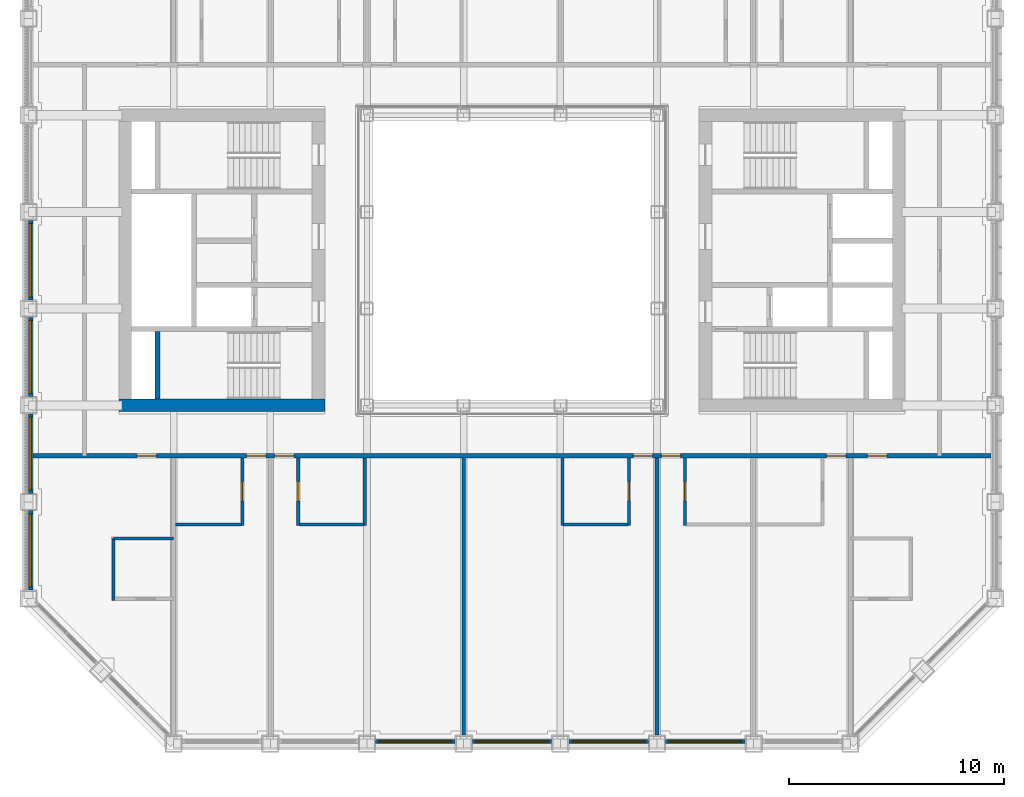
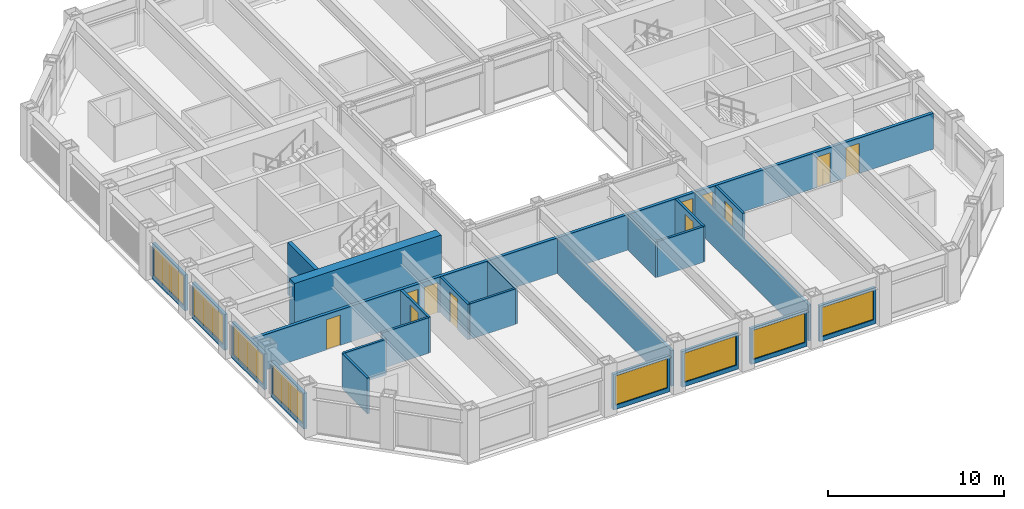
# One storey, part 10 of 17: 24 walls, 11 doors, 8 windows, 19 openings.
"""IFC4 building model written with IfcOpenShell, lengths in metres."""

from ifc_helpers import new_model, si_unit, direction, frame, frame_2d, origin, place, context, subcontext, project, spatial, rectangle, extrude, material, layer, layer_set, type_object, element, fill, save


model = new_model("IFC4")

# Units and contexts
model_context = context("Model", 3, precision=1e-05, world=origin(), true_north=direction((0.0, 1.0)))
body_context = subcontext(model_context, "Body", "Model", "MODEL_VIEW")
ifc_project = project(units=[si_unit("LENGTHUNIT", "METRE"), si_unit("AREAUNIT", "SQUARE_METRE"), si_unit("VOLUMEUNIT", "CUBIC_METRE"), si_unit("PLANEANGLEUNIT", "RADIAN"), si_unit("MASSUNIT", "GRAM", prefix="KILO")], contexts=[model_context])

# Site, building, storey
site_placement = place(None, origin())
site = spatial("IfcSite", under=ifc_project, at=site_placement, CompositionType="ELEMENT")
building_placement = place(site_placement, origin())
building = spatial("IfcBuilding", under=site, at=building_placement, Name="Msasa Ring Tower", CompositionType="ELEMENT")
storey_placement = place(building_placement, frame((0.0, 0.0, 132.800048828125)))
storey = spatial("IfcBuildingStorey", under=building, at=storey_placement, Name="L34", CompositionType="ELEMENT", Elevation=132.800048828125)

# Walls
ifc_material_1 = material(Name="Concrete C60/75", Category="concrete")
ifc_layer_1 = layer(ifc_material_1, 0.60009765625)
ifc_layer_set_1 = layer_set([ifc_layer_1], Name="CW2 CORE WALL 600")
wall_type_1 = type_object("IfcWallType", Name="CW2 CORE WALL 600", PredefinedType="SHEAR", material=ifc_layer_set_1)
wall_1_placement = place(storey_placement, frame((-8.699951171875, -6.75, 0.0), z_axis=(0.0, 0.0, 1.0), x_axis=(-1.0, 0.0, 0.0)))
element("IfcWall", 1, at=wall_1_placement, inside=storey, type_object=wall_type_1, Name="W core wall S L34", PredefinedType="SHEAR", context=body_context, shape_type="SweptSolid", body=[
    extrude(rectangle(XDim=9.60009765625, YDim=0.60009765625, at=frame_2d((4.800048828125, 0.0))), origin(), (0.0, 0.0, 1.0), 3.599853515625),
])
ifc_material_2 = material(Name="Concrete C60/75", Category="concrete")
ifc_layer_2 = layer(ifc_material_2, 0.25)
ifc_layer_set_2 = layer_set([ifc_layer_2], Name="CW4 CORE INNER WALL 250")
wall_type_2 = type_object("IfcWallType", Name="CW4 CORE INNER WALL 250", PredefinedType="SHEAR", material=ifc_layer_set_2)
wall_2_placement = place(storey_placement, frame((-16.5, -6.449951171875, 0.0), z_axis=(0.0, 0.0, 1.0), x_axis=(0.0, 1.0, 0.0)))
element("IfcWall", 2, at=wall_2_placement, inside=storey, type_object=wall_type_2, Name="W core wall RISERA L34", PredefinedType="SHEAR", context=body_context, shape_type="SweptSolid", body=[
    extrude(rectangle(XDim=3.125, YDim=0.25, at=frame_2d((1.5625, 0.0))), origin(), (0.0, 0.0, 1.0), 3.599853515625),
])

# Wall, opening, window
ifc_material_3 = material(Name="Terracotta rainscreen on blockwork", Category="masonry")
ifc_layer_3 = layer(ifc_material_3, 0.199951171875)
ifc_layer_set_3 = layer_set([ifc_layer_3], Name="FW1 TERRACOTTA-LINED INFILL BAY WALL 200")
wall_type_3 = type_object("IfcWallType", Name="FW1 TERRACOTTA-LINED INFILL BAY WALL 200", PredefinedType="SOLIDWALL", material=ifc_layer_set_3)
wall_3_placement = place(storey_placement, frame((-6.344970703125, -22.39990234375, 0.0), z_axis=(0.0, 0.0, 1.0), x_axis=(1.0, 0.0, 0.0)))
wall_3 = element("IfcWall", 3, at=wall_3_placement, inside=storey, type_object=wall_type_3, Name="Infill bay wall S L34 02", PredefinedType="SOLIDWALL", context=body_context, shape_type="SweptSolid", body=[
    extrude(rectangle(XDim=3.68994140625, YDim=0.199951171875, at=frame_2d((1.844970703125, 0.0))), origin(), (0.0, 0.0, 1.0), 2.47900390625),
])
opening_1_placement = place(wall_3_placement, frame((0.14501953125, 0.0, 0.300048828125)))
opening_1 = element("IfcOpeningElement", 4, at=opening_1_placement, cuts=wall_3, Name="Opening WN2", PredefinedType="OPENING", context=body_context, shape_type="SweptSolid", body=[
    extrude(rectangle(XDim=3.39990234375, YDim=2.029052734375, at=frame_2d((1.699951171875, 1.0146484375))), frame((0.0, 0.10986328125, 0.0), z_axis=(0.0, -1.0, 0.0), x_axis=(1.0, 0.0, 0.0)), (0.0, 0.0, 1.0), 0.219970703125),
])
ifc_material_4 = material(Name="Aluminium frame with clear glass", Category="aluminium")
window_type = type_object("IfcWindowType", Name="WN2 GUEST ROOM WINDOW 3400x2029", PartitioningType="SINGLE_PANEL", PredefinedType="WINDOW", material=ifc_material_4)
window_1_placement = place(opening_1_placement, origin())
window_1 = element("IfcWindow", 5, at=window_1_placement, inside=storey, type_object=window_type, Name="Window S L34 02", OverallHeight=2.029052734375, OverallWidth=3.39990234375, PartitioningType="SINGLE_PANEL", PredefinedType="WINDOW", context=body_context, shape_type="SweptSolid", body=[
    extrude(rectangle(XDim=3.39990234375, YDim=2.029052734375, at=frame_2d((1.699951171875, 1.0146484375))), frame((0.0, 0.030029296875, 0.0), z_axis=(0.0, -1.0, 0.0), x_axis=(1.0, 0.0, 0.0)), (0.0, 0.0, 1.0), 0.06005859375),
])
fill(opening_1, window_1)

wall_4_placement = place(storey_placement, frame((-1.844970703125, -22.39990234375, 0.0), z_axis=(0.0, 0.0, 1.0), x_axis=(1.0, 0.0, 0.0)))
wall_4 = element("IfcWall", 6, at=wall_4_placement, inside=storey, type_object=wall_type_3, Name="Infill bay wall S L34 03", PredefinedType="SOLIDWALL", context=body_context, shape_type="SweptSolid", body=[
    extrude(rectangle(XDim=3.68994140625, YDim=0.199951171875, at=frame_2d((1.844970703125, 0.0))), origin(), (0.0, 0.0, 1.0), 2.47900390625),
])
opening_2_placement = place(wall_4_placement, frame((0.14501953125, 0.0, 0.300048828125)))
opening_2 = element("IfcOpeningElement", 7, at=opening_2_placement, cuts=wall_4, Name="Opening WN2", PredefinedType="OPENING", context=body_context, shape_type="SweptSolid", body=[
    extrude(rectangle(XDim=3.39990234375, YDim=2.029052734375, at=frame_2d((1.699951171875, 1.0146484375))), frame((0.0, 0.10986328125, 0.0), z_axis=(0.0, -1.0, 0.0), x_axis=(1.0, 0.0, 0.0)), (0.0, 0.0, 1.0), 0.219970703125),
])
window_2_placement = place(opening_2_placement, origin())
window_2 = element("IfcWindow", 8, at=window_2_placement, inside=storey, type_object=window_type, Name="Window S L34 03", OverallHeight=2.029052734375, OverallWidth=3.39990234375, PartitioningType="SINGLE_PANEL", PredefinedType="WINDOW", context=body_context, shape_type="SweptSolid", body=[
    extrude(rectangle(XDim=3.39990234375, YDim=2.029052734375, at=frame_2d((1.699951171875, 1.0146484375))), frame((0.0, 0.030029296875, 0.0), z_axis=(0.0, -1.0, 0.0), x_axis=(1.0, 0.0, 0.0)), (0.0, 0.0, 1.0), 0.06005859375),
])
fill(opening_2, window_2)

wall_5_placement = place(storey_placement, frame((2.655029296875, -22.39990234375, 0.0), z_axis=(0.0, 0.0, 1.0), x_axis=(1.0, 0.0, 0.0)))
wall_5 = element("IfcWall", 9, at=wall_5_placement, inside=storey, type_object=wall_type_3, Name="Infill bay wall S L34 04", PredefinedType="SOLIDWALL", context=body_context, shape_type="SweptSolid", body=[
    extrude(rectangle(XDim=3.68994140625, YDim=0.199951171875, at=frame_2d((1.844970703125, 0.0))), origin(), (0.0, 0.0, 1.0), 2.47900390625),
])
opening_3_placement = place(wall_5_placement, frame((0.14501953125, 0.0, 0.300048828125)))
opening_3 = element("IfcOpeningElement", 10, at=opening_3_placement, cuts=wall_5, Name="Opening WN2", PredefinedType="OPENING", context=body_context, shape_type="SweptSolid", body=[
    extrude(rectangle(XDim=3.39990234375, YDim=2.029052734375, at=frame_2d((1.699951171875, 1.0146484375))), frame((0.0, 0.10986328125, 0.0), z_axis=(0.0, -1.0, 0.0), x_axis=(1.0, 0.0, 0.0)), (0.0, 0.0, 1.0), 0.219970703125),
])
window_3_placement = place(opening_3_placement, origin())
window_3 = element("IfcWindow", 11, at=window_3_placement, inside=storey, type_object=window_type, Name="Window S L34 04", OverallHeight=2.029052734375, OverallWidth=3.39990234375, PartitioningType="SINGLE_PANEL", PredefinedType="WINDOW", context=body_context, shape_type="SweptSolid", body=[
    extrude(rectangle(XDim=3.39990234375, YDim=2.029052734375, at=frame_2d((1.699951171875, 1.0146484375))), frame((0.0, 0.030029296875, 0.0), z_axis=(0.0, -1.0, 0.0), x_axis=(1.0, 0.0, 0.0)), (0.0, 0.0, 1.0), 0.06005859375),
])
fill(opening_3, window_3)

wall_6_placement = place(storey_placement, frame((7.155029296875, -22.39990234375, 0.0), z_axis=(0.0, 0.0, 1.0), x_axis=(1.0, 0.0, 0.0)))
wall_6 = element("IfcWall", 12, at=wall_6_placement, inside=storey, type_object=wall_type_3, Name="Infill bay wall S L34 05", PredefinedType="SOLIDWALL", context=body_context, shape_type="SweptSolid", body=[
    extrude(rectangle(XDim=3.68994140625, YDim=0.199951171875, at=frame_2d((1.844970703125, 0.0))), origin(), (0.0, 0.0, 1.0), 2.47900390625),
])
opening_4_placement = place(wall_6_placement, frame((0.14501953125, 0.0, 0.300048828125)))
opening_4 = element("IfcOpeningElement", 13, at=opening_4_placement, cuts=wall_6, Name="Opening WN2", PredefinedType="OPENING", context=body_context, shape_type="SweptSolid", body=[
    extrude(rectangle(XDim=3.39990234375, YDim=2.029052734375, at=frame_2d((1.699951171875, 1.0146484375))), frame((0.0, 0.10986328125, 0.0), z_axis=(0.0, -1.0, 0.0), x_axis=(1.0, 0.0, 0.0)), (0.0, 0.0, 1.0), 0.219970703125),
])
window_4_placement = place(opening_4_placement, origin())
window_4 = element("IfcWindow", 14, at=window_4_placement, inside=storey, type_object=window_type, Name="Window S L34 05", OverallHeight=2.029052734375, OverallWidth=3.39990234375, PartitioningType="SINGLE_PANEL", PredefinedType="WINDOW", context=body_context, shape_type="SweptSolid", body=[
    extrude(rectangle(XDim=3.39990234375, YDim=2.029052734375, at=frame_2d((1.699951171875, 1.0146484375))), frame((0.0, 0.030029296875, 0.0), z_axis=(0.0, -1.0, 0.0), x_axis=(1.0, 0.0, 0.0)), (0.0, 0.0, 1.0), 0.06005859375),
])
fill(opening_4, window_4)

wall_7_placement = place(storey_placement, frame((-22.39990234375, -15.344970703125, 0.0), z_axis=(0.0, 0.0, 1.0), x_axis=(0.0, 1.0, 0.0)))
wall_7 = element("IfcWall", 15, at=wall_7_placement, inside=storey, type_object=wall_type_3, Name="Infill bay wall W L34 27", PredefinedType="SOLIDWALL", context=body_context, shape_type="SweptSolid", body=[
    extrude(rectangle(XDim=3.68994140625, YDim=0.199951171875, at=frame_2d((1.844970703125, 0.0))), origin(), (0.0, 0.0, 1.0), 2.47900390625),
])
opening_5_placement = place(wall_7_placement, frame((0.14501953125, 0.0, 0.300048828125)))
opening_5 = element("IfcOpeningElement", 16, at=opening_5_placement, cuts=wall_7, Name="Opening WN2", PredefinedType="OPENING", context=body_context, shape_type="SweptSolid", body=[
    extrude(rectangle(XDim=3.39990234375, YDim=2.029052734375, at=frame_2d((1.699951171875, 1.0146484375))), frame((0.0, 0.10986328125, 0.0), z_axis=(0.0, -1.0, 0.0), x_axis=(1.0, 0.0, 0.0)), (0.0, 0.0, 1.0), 0.219970703125),
])
window_5_placement = place(opening_5_placement, origin())
window_5 = element("IfcWindow", 17, at=window_5_placement, inside=storey, type_object=window_type, Name="Window W L34 27", OverallHeight=2.029052734375, OverallWidth=3.39990234375, PartitioningType="SINGLE_PANEL", PredefinedType="WINDOW", context=body_context, shape_type="SweptSolid", body=[
    extrude(rectangle(XDim=3.39990234375, YDim=2.029052734375, at=frame_2d((1.699951171875, 1.0146484375))), frame((0.0, 0.030029296875, 0.0), z_axis=(0.0, -1.0, 0.0), x_axis=(1.0, 0.0, 0.0)), (0.0, 0.0, 1.0), 0.06005859375),
])
fill(opening_5, window_5)

wall_8_placement = place(storey_placement, frame((-22.39990234375, -10.844970703125, 0.0), z_axis=(0.0, 0.0, 1.0), x_axis=(0.0, 1.0, 0.0)))
wall_8 = element("IfcWall", 18, at=wall_8_placement, inside=storey, type_object=wall_type_3, Name="Infill bay wall W L34 28", PredefinedType="SOLIDWALL", context=body_context, shape_type="SweptSolid", body=[
    extrude(rectangle(XDim=3.68994140625, YDim=0.199951171875, at=frame_2d((1.844970703125, 0.0))), origin(), (0.0, 0.0, 1.0), 2.47900390625),
])
opening_6_placement = place(wall_8_placement, frame((0.14501953125, 0.0, 0.300048828125)))
opening_6 = element("IfcOpeningElement", 19, at=opening_6_placement, cuts=wall_8, Name="Opening WN2", PredefinedType="OPENING", context=body_context, shape_type="SweptSolid", body=[
    extrude(rectangle(XDim=3.39990234375, YDim=2.029052734375, at=frame_2d((1.699951171875, 1.0146484375))), frame((0.0, 0.10986328125, 0.0), z_axis=(0.0, -1.0, 0.0), x_axis=(1.0, 0.0, 0.0)), (0.0, 0.0, 1.0), 0.219970703125),
])
window_6_placement = place(opening_6_placement, origin())
window_6 = element("IfcWindow", 20, at=window_6_placement, inside=storey, type_object=window_type, Name="Window W L34 28", OverallHeight=2.029052734375, OverallWidth=3.39990234375, PartitioningType="SINGLE_PANEL", PredefinedType="WINDOW", context=body_context, shape_type="SweptSolid", body=[
    extrude(rectangle(XDim=3.39990234375, YDim=2.029052734375, at=frame_2d((1.699951171875, 1.0146484375))), frame((0.0, 0.030029296875, 0.0), z_axis=(0.0, -1.0, 0.0), x_axis=(1.0, 0.0, 0.0)), (0.0, 0.0, 1.0), 0.06005859375),
])
fill(opening_6, window_6)

wall_9_placement = place(storey_placement, frame((-22.39990234375, -6.344970703125, 0.0), z_axis=(0.0, 0.0, 1.0), x_axis=(0.0, 1.0, 0.0)))
wall_9 = element("IfcWall", 21, at=wall_9_placement, inside=storey, type_object=wall_type_3, Name="Infill bay wall W L34 29", PredefinedType="SOLIDWALL", context=body_context, shape_type="SweptSolid", body=[
    extrude(rectangle(XDim=3.68994140625, YDim=0.199951171875, at=frame_2d((1.844970703125, 0.0))), origin(), (0.0, 0.0, 1.0), 2.47900390625),
])
opening_7_placement = place(wall_9_placement, frame((0.14501953125, 0.0, 0.300048828125)))
opening_7 = element("IfcOpeningElement", 22, at=opening_7_placement, cuts=wall_9, Name="Opening WN2", PredefinedType="OPENING", context=body_context, shape_type="SweptSolid", body=[
    extrude(rectangle(XDim=3.39990234375, YDim=2.029052734375, at=frame_2d((1.699951171875, 1.0146484375))), frame((0.0, 0.10986328125, 0.0), z_axis=(0.0, -1.0, 0.0), x_axis=(1.0, 0.0, 0.0)), (0.0, 0.0, 1.0), 0.219970703125),
])
window_7_placement = place(opening_7_placement, origin())
window_7 = element("IfcWindow", 23, at=window_7_placement, inside=storey, type_object=window_type, Name="Window W L34 29", OverallHeight=2.029052734375, OverallWidth=3.39990234375, PartitioningType="SINGLE_PANEL", PredefinedType="WINDOW", context=body_context, shape_type="SweptSolid", body=[
    extrude(rectangle(XDim=3.39990234375, YDim=2.029052734375, at=frame_2d((1.699951171875, 1.0146484375))), frame((0.0, 0.030029296875, 0.0), z_axis=(0.0, -1.0, 0.0), x_axis=(1.0, 0.0, 0.0)), (0.0, 0.0, 1.0), 0.06005859375),
])
fill(opening_7, window_7)

wall_10_placement = place(storey_placement, frame((-22.39990234375, -1.844970703125, 0.0), z_axis=(0.0, 0.0, 1.0), x_axis=(0.0, 1.0, 0.0)))
wall_10 = element("IfcWall", 24, at=wall_10_placement, inside=storey, type_object=wall_type_3, Name="Infill bay wall W L34 30", PredefinedType="SOLIDWALL", context=body_context, shape_type="SweptSolid", body=[
    extrude(rectangle(XDim=3.68994140625, YDim=0.199951171875, at=frame_2d((1.844970703125, 0.0))), origin(), (0.0, 0.0, 1.0), 2.47900390625),
])
opening_8_placement = place(wall_10_placement, frame((0.14501953125, 0.0, 0.300048828125)))
opening_8 = element("IfcOpeningElement", 25, at=opening_8_placement, cuts=wall_10, Name="Opening WN2", PredefinedType="OPENING", context=body_context, shape_type="SweptSolid", body=[
    extrude(rectangle(XDim=3.39990234375, YDim=2.029052734375, at=frame_2d((1.699951171875, 1.0146484375))), frame((0.0, 0.10986328125, 0.0), z_axis=(0.0, -1.0, 0.0), x_axis=(1.0, 0.0, 0.0)), (0.0, 0.0, 1.0), 0.219970703125),
])
window_8_placement = place(opening_8_placement, origin())
window_8 = element("IfcWindow", 26, at=window_8_placement, inside=storey, type_object=window_type, Name="Window W L34 30", OverallHeight=2.029052734375, OverallWidth=3.39990234375, PartitioningType="SINGLE_PANEL", PredefinedType="WINDOW", context=body_context, shape_type="SweptSolid", body=[
    extrude(rectangle(XDim=3.39990234375, YDim=2.029052734375, at=frame_2d((1.699951171875, 1.0146484375))), frame((0.0, 0.030029296875, 0.0), z_axis=(0.0, -1.0, 0.0), x_axis=(1.0, 0.0, 0.0)), (0.0, 0.0, 1.0), 0.06005859375),
])
fill(opening_8, window_8)

# Wall, openings, doors
ifc_material_5 = material(Name="Concrete blockwork", Category="masonry")
ifc_layer_4 = layer(ifc_material_5, 0.199951171875)
ifc_layer_set_4 = layer_set([ifc_layer_4], Name="PT1 CORRIDOR WALL 200")
wall_type_4 = type_object("IfcWallType", Name="PT1 CORRIDOR WALL 200", PredefinedType="PARTITIONING", material=ifc_layer_set_4)
wall_11_placement = place(storey_placement, frame((-22.300048828125, -9.10009765625, 0.0), z_axis=(0.0, 0.0, 1.0), x_axis=(1.0, 0.0, 0.0)))
wall_11 = element("IfcWall", 27, at=wall_11_placement, inside=storey, type_object=wall_type_4, Name="Corridor wall L34-CORRS0", PredefinedType="PARTITIONING", context=body_context, shape_type="SweptSolid", body=[
    extrude(rectangle(XDim=44.60009765625, YDim=0.199951171875, at=frame_2d((22.300048828125, 0.0))), origin(), (0.0, 0.0, 1.0), 2.473388671875),
])
opening_9_placement = place(wall_11_placement, frame((9.949951171875, 0.0, 0.0)))
opening_9 = element("IfcOpeningElement", 28, at=opening_9_placement, cuts=wall_11, Name="Opening HB-028", PredefinedType="OPENING", context=body_context, shape_type="SweptSolid", body=[
    extrude(rectangle(XDim=0.89990234375, YDim=2.10009765625, at=frame_2d((0.449951171875, 1.050048828125))), frame((0.0, 0.10986328125, 0.0), z_axis=(0.0, -1.0, 0.0), x_axis=(1.0, 0.0, 0.0)), (0.0, 0.0, 1.0), 0.219970703125),
])
opening_10_placement = place(wall_11_placement, frame((11.25, 0.0, 0.0)))
opening_10 = element("IfcOpeningElement", 29, at=opening_10_placement, cuts=wall_11, Name="Opening HB-029", PredefinedType="OPENING", context=body_context, shape_type="SweptSolid", body=[
    extrude(rectangle(XDim=0.89990234375, YDim=2.10009765625, at=frame_2d((0.449951171875, 1.050048828125))), frame((0.0, 0.10986328125, 0.0), z_axis=(0.0, -1.0, 0.0), x_axis=(1.0, 0.0, 0.0)), (0.0, 0.0, 1.0), 0.219970703125),
])
opening_11_placement = place(wall_11_placement, frame((27.949951171875, 0.0, 0.0)))
opening_11 = element("IfcOpeningElement", 30, at=opening_11_placement, cuts=wall_11, Name="Opening HB-030", PredefinedType="OPENING", context=body_context, shape_type="SweptSolid", body=[
    extrude(rectangle(XDim=0.89990234375, YDim=2.10009765625, at=frame_2d((0.449951171875, 1.050048828125))), frame((0.0, 0.10986328125, 0.0), z_axis=(0.0, -1.0, 0.0), x_axis=(1.0, 0.0, 0.0)), (0.0, 0.0, 1.0), 0.219970703125),
])
opening_12_placement = place(wall_11_placement, frame((29.25, 0.0, 0.0)))
opening_12 = element("IfcOpeningElement", 31, at=opening_12_placement, cuts=wall_11, Name="Opening HB-031", PredefinedType="OPENING", context=body_context, shape_type="SweptSolid", body=[
    extrude(rectangle(XDim=0.89990234375, YDim=2.10009765625, at=frame_2d((0.449951171875, 1.050048828125))), frame((0.0, 0.10986328125, 0.0), z_axis=(0.0, -1.0, 0.0), x_axis=(1.0, 0.0, 0.0)), (0.0, 0.0, 1.0), 0.219970703125),
])
opening_13_placement = place(wall_11_placement, frame((36.949951171875, 0.0, 0.0)))
opening_13 = element("IfcOpeningElement", 32, at=opening_13_placement, cuts=wall_11, Name="Opening HB-032", PredefinedType="OPENING", context=body_context, shape_type="SweptSolid", body=[
    extrude(rectangle(XDim=0.89990234375, YDim=2.10009765625, at=frame_2d((0.449951171875, 1.050048828125))), frame((0.0, 0.10986328125, 0.0), z_axis=(0.0, -1.0, 0.0), x_axis=(1.0, 0.0, 0.0)), (0.0, 0.0, 1.0), 0.219970703125),
])
opening_14_placement = place(wall_11_placement, frame((38.85009765625, 0.0, 0.0)))
opening_14 = element("IfcOpeningElement", 33, at=opening_14_placement, cuts=wall_11, Name="Opening HB-033", PredefinedType="OPENING", context=body_context, shape_type="SweptSolid", body=[
    extrude(rectangle(XDim=0.89990234375, YDim=2.10009765625, at=frame_2d((0.449951171875, 1.050048828125))), frame((0.0, 0.10986328125, 0.0), z_axis=(0.0, -1.0, 0.0), x_axis=(1.0, 0.0, 0.0)), (0.0, 0.0, 1.0), 0.219970703125),
])
opening_15_placement = place(wall_11_placement, frame((4.85009765625, 0.0, 0.0)))
opening_15 = element("IfcOpeningElement", 34, at=opening_15_placement, cuts=wall_11, Name="Opening HB-027", PredefinedType="OPENING", context=body_context, shape_type="SweptSolid", body=[
    extrude(rectangle(XDim=0.89990234375, YDim=2.10009765625, at=frame_2d((0.449951171875, 1.050048828125))), frame((0.0, 0.10986328125, 0.0), z_axis=(0.0, -1.0, 0.0), x_axis=(1.0, 0.0, 0.0)), (0.0, 0.0, 1.0), 0.219970703125),
])
ifc_material_6 = material(Name="Timber door leaf in a steel frame", Category="steel")
door_type_1 = type_object("IfcDoorType", Name="D1 SINGLE DOOR TO CORRIDOR 900x2100", OperationType="SINGLE_SWING_LEFT", PredefinedType="DOOR", material=ifc_material_6)
door_1_placement = place(opening_9_placement, origin())
door_1 = element("IfcDoor", 35, at=door_1_placement, inside=storey, type_object=door_type_1, Name="Door L34-GS00", OperationType="SINGLE_SWING_LEFT", OverallHeight=2.10009765625, OverallWidth=0.89990234375, PredefinedType="DOOR", context=body_context, shape_type="SweptSolid", body=[
    extrude(rectangle(XDim=0.89990234375, YDim=2.10009765625, at=frame_2d((0.449951171875, 1.050048828125))), frame((0.0, 0.02490234375, 0.0), z_axis=(0.0, -1.0, 0.0), x_axis=(1.0, 0.0, 0.0)), (0.0, 0.0, 1.0), 0.050048828125),
])
fill(opening_9, door_1)
door_2_placement = place(opening_10_placement, origin())
door_2 = element("IfcDoor", 36, at=door_2_placement, inside=storey, type_object=door_type_1, Name="Door L34-GS01", OperationType="SINGLE_SWING_LEFT", OverallHeight=2.10009765625, OverallWidth=0.89990234375, PredefinedType="DOOR", context=body_context, shape_type="SweptSolid", body=[
    extrude(rectangle(XDim=0.89990234375, YDim=2.10009765625, at=frame_2d((0.449951171875, 1.050048828125))), frame((0.0, 0.02490234375, 0.0), z_axis=(0.0, -1.0, 0.0), x_axis=(1.0, 0.0, 0.0)), (0.0, 0.0, 1.0), 0.050048828125),
])
fill(opening_10, door_2)
door_3_placement = place(opening_11_placement, origin())
door_3 = element("IfcDoor", 37, at=door_3_placement, inside=storey, type_object=door_type_1, Name="Door L34-GS02", OperationType="SINGLE_SWING_RIGHT", OverallHeight=2.10009765625, OverallWidth=0.89990234375, PredefinedType="DOOR", context=body_context, shape_type="SweptSolid", body=[
    extrude(rectangle(XDim=0.89990234375, YDim=2.10009765625, at=frame_2d((0.449951171875, 1.050048828125))), frame((0.0, 0.02490234375, 0.0), z_axis=(0.0, -1.0, 0.0), x_axis=(1.0, 0.0, 0.0)), (0.0, 0.0, 1.0), 0.050048828125),
])
fill(opening_11, door_3)
door_4_placement = place(opening_12_placement, origin())
door_4 = element("IfcDoor", 38, at=door_4_placement, inside=storey, type_object=door_type_1, Name="Door L34-GS03", OperationType="SINGLE_SWING_RIGHT", OverallHeight=2.10009765625, OverallWidth=0.89990234375, PredefinedType="DOOR", context=body_context, shape_type="SweptSolid", body=[
    extrude(rectangle(XDim=0.89990234375, YDim=2.10009765625, at=frame_2d((0.449951171875, 1.050048828125))), frame((0.0, 0.02490234375, 0.0), z_axis=(0.0, -1.0, 0.0), x_axis=(1.0, 0.0, 0.0)), (0.0, 0.0, 1.0), 0.050048828125),
])
fill(opening_12, door_4)
door_5_placement = place(opening_13_placement, origin())
door_5 = element("IfcDoor", 39, at=door_5_placement, inside=storey, type_object=door_type_1, Name="Door L34-GS04", OperationType="SINGLE_SWING_RIGHT", OverallHeight=2.10009765625, OverallWidth=0.89990234375, PredefinedType="DOOR", context=body_context, shape_type="SweptSolid", body=[
    extrude(rectangle(XDim=0.89990234375, YDim=2.10009765625, at=frame_2d((0.449951171875, 1.050048828125))), frame((0.0, 0.02490234375, 0.0), z_axis=(0.0, -1.0, 0.0), x_axis=(1.0, 0.0, 0.0)), (0.0, 0.0, 1.0), 0.050048828125),
])
fill(opening_13, door_5)
ifc_material_7 = material(Name="Timber door leaf in a steel frame", Category="steel")
door_type_2 = type_object("IfcDoorType", Name="D2 ENTRANCE DOOR 900x2100", OperationType="SINGLE_SWING_LEFT", PredefinedType="DOOR", material=ifc_material_7)
door_6_placement = place(opening_14_placement, origin())
door_6 = element("IfcDoor", 40, at=door_6_placement, inside=storey, type_object=door_type_2, Name="Door L34-CSSE", OperationType="SINGLE_SWING_RIGHT", OverallHeight=2.10009765625, OverallWidth=0.89990234375, PredefinedType="DOOR", context=body_context, shape_type="SweptSolid", body=[
    extrude(rectangle(XDim=0.89990234375, YDim=2.10009765625, at=frame_2d((0.449951171875, 1.050048828125))), frame((0.0, 0.02490234375, 0.0), z_axis=(0.0, -1.0, 0.0), x_axis=(1.0, 0.0, 0.0)), (0.0, 0.0, 1.0), 0.050048828125),
])
fill(opening_14, door_6)
door_7_placement = place(opening_15_placement, origin())
door_7 = element("IfcDoor", 41, at=door_7_placement, inside=storey, type_object=door_type_2, Name="Door L34-CSSW", OperationType="SINGLE_SWING_LEFT", OverallHeight=2.10009765625, OverallWidth=0.89990234375, PredefinedType="DOOR", context=body_context, shape_type="SweptSolid", body=[
    extrude(rectangle(XDim=0.89990234375, YDim=2.10009765625, at=frame_2d((0.449951171875, 1.050048828125))), frame((0.0, 0.02490234375, 0.0), z_axis=(0.0, -1.0, 0.0), x_axis=(1.0, 0.0, 0.0)), (0.0, 0.0, 1.0), 0.050048828125),
])
fill(opening_15, door_7)

# Wall, opening, door
ifc_material_8 = material(Name="Moisture-resistant board on steel studs with a concealed cistern and pipe void, tiled", Category="steel")
ifc_layer_5 = layer(ifc_material_8, 0.14990234375)
ifc_layer_set_5 = layer_set([ifc_layer_5], Name="PT4 BATHROOM WET WALL 150")
wall_type_5 = type_object("IfcWallType", Name="PT4 BATHROOM WET WALL 150", PredefinedType="PARTITIONING", material=ifc_layer_set_5)
wall_12_placement = place(storey_placement, frame((-12.550048828125, -12.35009765625, 0.0), z_axis=(0.0, 0.0, 1.0), x_axis=(0.0, 1.0, 0.0)))
wall_12 = element("IfcWall", 42, at=wall_12_placement, inside=storey, type_object=wall_type_5, Name="Partition L34-GS00BX", PredefinedType="PARTITIONING", context=body_context, shape_type="SweptSolid", body=[
    extrude(rectangle(XDim=3.150146484375, YDim=0.14990234375, at=frame_2d((1.5751953125, 0.0))), origin(), (0.0, 0.0, 1.0), 2.473388671875),
])
opening_16_placement = place(wall_12_placement, frame((1.14990234375, 0.0, 0.0)))
opening_16 = element("IfcOpeningElement", 43, at=opening_16_placement, cuts=wall_12, Name="Opening HB-034", PredefinedType="OPENING", context=body_context, shape_type="SweptSolid", body=[
    extrude(rectangle(XDim=0.89990234375, YDim=2.10009765625, at=frame_2d((0.449951171875, 1.050048828125))), frame((0.0, 0.0849609375, 0.0), z_axis=(0.0, -1.0, 0.0), x_axis=(1.0, 0.0, 0.0)), (0.0, 0.0, 1.0), 0.169921875),
])
ifc_material_9 = material(Name="Timber door leaf in a steel frame", Category="steel")
door_type_3 = type_object("IfcDoorType", Name="D3 BATHROOM DOOR 900x2100", OperationType="SINGLE_SWING_LEFT", PredefinedType="DOOR", material=ifc_material_9)
door_8_placement = place(opening_16_placement, origin())
door_8 = element("IfcDoor", 44, at=door_8_placement, inside=storey, type_object=door_type_3, Name="Door L34-GS00B", OperationType="SINGLE_SWING_LEFT", OverallHeight=2.10009765625, OverallWidth=0.89990234375, PredefinedType="DOOR", context=body_context, shape_type="SweptSolid", body=[
    extrude(rectangle(XDim=0.89990234375, YDim=2.10009765625, at=frame_2d((0.449951171875, 1.050048828125))), frame((0.0, 0.02490234375, 0.0), z_axis=(0.0, -1.0, 0.0), x_axis=(1.0, 0.0, 0.0)), (0.0, 0.0, 1.0), 0.050048828125),
])
fill(opening_16, door_8)

# Wall
wall_13_placement = place(storey_placement, frame((-15.66259765625, -12.300048828125, 0.0), z_axis=(0.0, 0.0, 1.0), x_axis=(1.0, 0.0, 0.0)))
element("IfcWall", 45, at=wall_13_placement, inside=storey, type_object=wall_type_5, Name="Partition L34-GS00BY", PredefinedType="PARTITIONING", context=body_context, shape_type="SweptSolid", body=[
    extrude(rectangle(XDim=3.0625, YDim=0.14990234375, at=frame_2d((1.53125, 0.0))), origin(), (0.0, 0.0, 1.0), 2.473388671875),
])

# Wall, opening, door
wall_14_placement = place(storey_placement, frame((-9.949951171875, -12.35009765625, 0.0), z_axis=(0.0, 0.0, 1.0), x_axis=(0.0, 1.0, 0.0)))
wall_14 = element("IfcWall", 46, at=wall_14_placement, inside=storey, type_object=wall_type_5, Name="Partition L34-GS01BX", PredefinedType="PARTITIONING", context=body_context, shape_type="SweptSolid", body=[
    extrude(rectangle(XDim=3.150146484375, YDim=0.14990234375, at=frame_2d((1.5751953125, 0.0))), origin(), (0.0, 0.0, 1.0), 2.473388671875),
])
opening_17_placement = place(wall_14_placement, frame((1.14990234375, 0.0, 0.0)))
opening_17 = element("IfcOpeningElement", 47, at=opening_17_placement, cuts=wall_14, Name="Opening HB-035", PredefinedType="OPENING", context=body_context, shape_type="SweptSolid", body=[
    extrude(rectangle(XDim=0.89990234375, YDim=2.10009765625, at=frame_2d((0.449951171875, 1.050048828125))), frame((0.0, 0.0849609375, 0.0), z_axis=(0.0, -1.0, 0.0), x_axis=(1.0, 0.0, 0.0)), (0.0, 0.0, 1.0), 0.169921875),
])
door_9_placement = place(opening_17_placement, origin())
door_9 = element("IfcDoor", 48, at=door_9_placement, inside=storey, type_object=door_type_3, Name="Door L34-GS01B", OperationType="SINGLE_SWING_LEFT", OverallHeight=2.10009765625, OverallWidth=0.89990234375, PredefinedType="DOOR", context=body_context, shape_type="SweptSolid", body=[
    extrude(rectangle(XDim=0.89990234375, YDim=2.10009765625, at=frame_2d((0.449951171875, 1.050048828125))), frame((0.0, 0.02490234375, 0.0), z_axis=(0.0, -1.0, 0.0), x_axis=(1.0, 0.0, 0.0)), (0.0, 0.0, 1.0), 0.050048828125),
])
fill(opening_17, door_9)

# Walls
wall_15_placement = place(storey_placement, frame((-6.85009765625, -12.35009765625, 0.0), z_axis=(0.0, 0.0, 1.0), x_axis=(0.0, 1.0, 0.0)))
element("IfcWall", 49, at=wall_15_placement, inside=storey, type_object=wall_type_5, Name="Partition L34-GS01BF", PredefinedType="PARTITIONING", context=body_context, shape_type="SweptSolid", body=[
    extrude(rectangle(XDim=3.150146484375, YDim=0.14990234375, at=frame_2d((1.5751953125, 0.0))), origin(), (0.0, 0.0, 1.0), 2.473388671875),
])
wall_16_placement = place(storey_placement, frame((-9.89990234375, -12.300048828125, 0.0), z_axis=(0.0, 0.0, 1.0), x_axis=(1.0, 0.0, 0.0)))
element("IfcWall", 50, at=wall_16_placement, inside=storey, type_object=wall_type_5, Name="Partition L34-GS01BY", PredefinedType="PARTITIONING", context=body_context, shape_type="SweptSolid", body=[
    extrude(rectangle(XDim=3.0, YDim=0.14990234375, at=frame_2d((1.5, 0.0))), origin(), (0.0, 0.0, 1.0), 2.473388671875),
])

# Wall, opening, door
wall_17_placement = place(storey_placement, frame((5.449951171875, -12.35009765625, 0.0), z_axis=(0.0, 0.0, 1.0), x_axis=(0.0, 1.0, 0.0)))
wall_17 = element("IfcWall", 51, at=wall_17_placement, inside=storey, type_object=wall_type_5, Name="Partition L34-GS02BX", PredefinedType="PARTITIONING", context=body_context, shape_type="SweptSolid", body=[
    extrude(rectangle(XDim=3.150146484375, YDim=0.14990234375, at=frame_2d((1.5751953125, 0.0))), origin(), (0.0, 0.0, 1.0), 2.473388671875),
])
opening_18_placement = place(wall_17_placement, frame((1.14990234375, 0.0, 0.0)))
opening_18 = element("IfcOpeningElement", 52, at=opening_18_placement, cuts=wall_17, Name="Opening HB-036", PredefinedType="OPENING", context=body_context, shape_type="SweptSolid", body=[
    extrude(rectangle(XDim=0.89990234375, YDim=2.10009765625, at=frame_2d((0.449951171875, 1.050048828125))), frame((0.0, 0.0849609375, 0.0), z_axis=(0.0, -1.0, 0.0), x_axis=(1.0, 0.0, 0.0)), (0.0, 0.0, 1.0), 0.169921875),
])
door_10_placement = place(opening_18_placement, origin())
door_10 = element("IfcDoor", 53, at=door_10_placement, inside=storey, type_object=door_type_3, Name="Door L34-GS02B", OperationType="SINGLE_SWING_LEFT", OverallHeight=2.10009765625, OverallWidth=0.89990234375, PredefinedType="DOOR", context=body_context, shape_type="SweptSolid", body=[
    extrude(rectangle(XDim=0.89990234375, YDim=2.10009765625, at=frame_2d((0.449951171875, 1.050048828125))), frame((0.0, 0.02490234375, 0.0), z_axis=(0.0, -1.0, 0.0), x_axis=(1.0, 0.0, 0.0)), (0.0, 0.0, 1.0), 0.050048828125),
])
fill(opening_18, door_10)

# Walls
wall_18_placement = place(storey_placement, frame((2.35009765625, -12.35009765625, 0.0), z_axis=(0.0, 0.0, 1.0), x_axis=(0.0, 1.0, 0.0)))
element("IfcWall", 54, at=wall_18_placement, inside=storey, type_object=wall_type_5, Name="Partition L34-GS02BF", PredefinedType="PARTITIONING", context=body_context, shape_type="SweptSolid", body=[
    extrude(rectangle(XDim=3.150146484375, YDim=0.14990234375, at=frame_2d((1.5751953125, 0.0))), origin(), (0.0, 0.0, 1.0), 2.473388671875),
])
wall_19_placement = place(storey_placement, frame((2.39990234375, -12.300048828125, 0.0), z_axis=(0.0, 0.0, 1.0), x_axis=(1.0, 0.0, 0.0)))
element("IfcWall", 55, at=wall_19_placement, inside=storey, type_object=wall_type_5, Name="Partition L34-GS02BY", PredefinedType="PARTITIONING", context=body_context, shape_type="SweptSolid", body=[
    extrude(rectangle(XDim=3.0, YDim=0.14990234375, at=frame_2d((1.5, 0.0))), origin(), (0.0, 0.0, 1.0), 2.473388671875),
])

# Wall, opening, door
wall_20_placement = place(storey_placement, frame((8.050048828125, -12.35009765625, 0.0), z_axis=(0.0, 0.0, 1.0), x_axis=(0.0, 1.0, 0.0)))
wall_20 = element("IfcWall", 56, at=wall_20_placement, inside=storey, type_object=wall_type_5, Name="Partition L34-GS03BX", PredefinedType="PARTITIONING", context=body_context, shape_type="SweptSolid", body=[
    extrude(rectangle(XDim=3.150146484375, YDim=0.14990234375, at=frame_2d((1.5751953125, 0.0))), origin(), (0.0, 0.0, 1.0), 2.473388671875),
])
opening_19_placement = place(wall_20_placement, frame((1.14990234375, 0.0, 0.0)))
opening_19 = element("IfcOpeningElement", 57, at=opening_19_placement, cuts=wall_20, Name="Opening HB-037", PredefinedType="OPENING", context=body_context, shape_type="SweptSolid", body=[
    extrude(rectangle(XDim=0.89990234375, YDim=2.10009765625, at=frame_2d((0.449951171875, 1.050048828125))), frame((0.0, 0.0849609375, 0.0), z_axis=(0.0, -1.0, 0.0), x_axis=(1.0, 0.0, 0.0)), (0.0, 0.0, 1.0), 0.169921875),
])
door_11_placement = place(opening_19_placement, origin())
door_11 = element("IfcDoor", 58, at=door_11_placement, inside=storey, type_object=door_type_3, Name="Door L34-GS03B", OperationType="SINGLE_SWING_LEFT", OverallHeight=2.10009765625, OverallWidth=0.89990234375, PredefinedType="DOOR", context=body_context, shape_type="SweptSolid", body=[
    extrude(rectangle(XDim=0.89990234375, YDim=2.10009765625, at=frame_2d((0.449951171875, 1.050048828125))), frame((0.0, 0.02490234375, 0.0), z_axis=(0.0, -1.0, 0.0), x_axis=(1.0, 0.0, 0.0)), (0.0, 0.0, 1.0), 0.050048828125),
])
fill(opening_19, door_11)

# Walls
wall_21_placement = place(storey_placement, frame((-18.550048828125, -15.824951171875, 0.0), z_axis=(0.0, 0.0, 1.0), x_axis=(0.0, 1.0, 0.0)))
element("IfcWall", 59, at=wall_21_placement, inside=storey, type_object=wall_type_5, Name="Partition L34-CSSWBX", PredefinedType="PARTITIONING", context=body_context, shape_type="SweptSolid", body=[
    extrude(rectangle(XDim=2.875, YDim=0.14990234375, at=frame_2d((1.4375, 0.0))), origin(), (0.0, 0.0, 1.0), 2.473388671875),
])
wall_22_placement = place(storey_placement, frame((-18.550048828125, -12.949951171875, 0.0), z_axis=(0.0, 0.0, 1.0), x_axis=(1.0, 0.0, 0.0)))
element("IfcWall", 60, at=wall_22_placement, inside=storey, type_object=wall_type_5, Name="Partition L34-CSSWBY", PredefinedType="PARTITIONING", context=body_context, shape_type="SweptSolid", body=[
    extrude(rectangle(XDim=2.800048828125, YDim=0.14990234375, at=frame_2d((1.39990234375, 0.0))), origin(), (0.0, 0.0, 1.0), 2.473388671875),
])
ifc_material_10 = material(Name="Twin steel studs, two layers of acoustic board each face, mineral wool", Category="steel")
ifc_layer_6 = layer(ifc_material_10, 0.175048828125)
ifc_layer_set_6 = layer_set([ifc_layer_6], Name="PT5 GUEST ROOM SEPARATING WALL 175")
wall_type_6 = type_object("IfcWallType", Name="PT5 GUEST ROOM SEPARATING WALL 175", PredefinedType="PARTITIONING", material=ifc_layer_set_6)
for number, where, z_axis, x_axis, name in (
    (61, (-2.25, -22.10009765625, 0.0), (0.0, 0.0, 1.0), (0.0, 1.0, 0.0), "Partition L34-PWS-2.25"),
    (62, (6.75, -22.10009765625, 0.0), (0.0, 0.0, 1.0), (0.0, 1.0, 0.0), "Partition L34-PWS+6.75"),
):
    element("IfcWall", number, at=place(storey_placement, frame(where, z_axis=z_axis, x_axis=x_axis)), inside=storey, type_object=wall_type_6, Name=name, PredefinedType="PARTITIONING", context=body_context, shape_type="SweptSolid", body=[
        extrude(rectangle(XDim=12.900146484375, YDim=0.175048828125, at=frame_2d((6.4501953125, 0.0))), origin(), (0.0, 0.0, 1.0), 2.473388671875),
    ])

save(model, "model.ifc")
